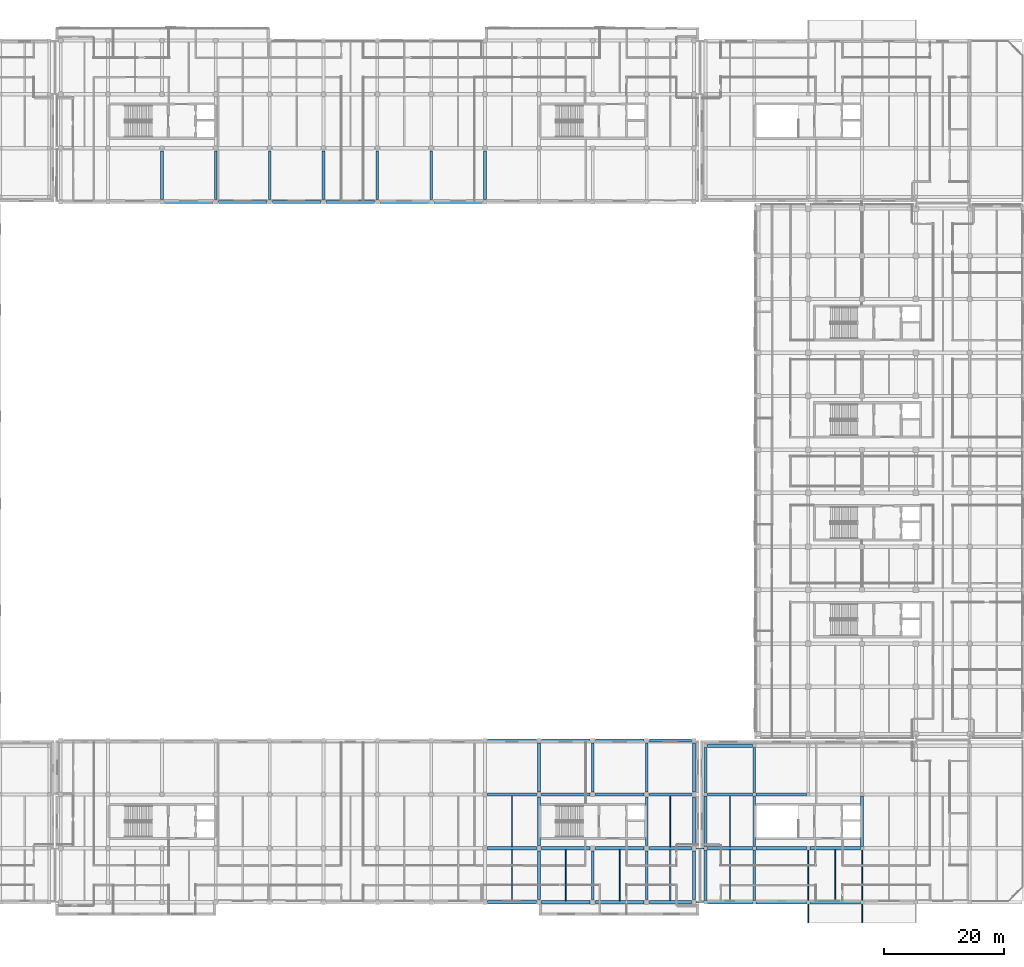
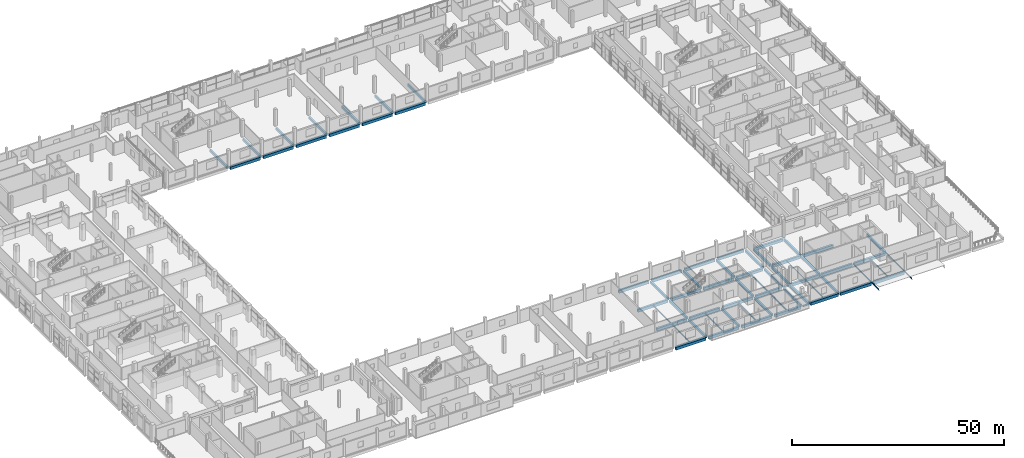
# One storey, part 26 of 111: 69 beams.
"""IFC4 building model written with IfcOpenShell, lengths in metres."""

from ifc_helpers import new_model, si_unit, direction, frame, origin, origin_2d, place, context, subcontext, project, spatial, rectangle, hollow_rectangle, i_section, extrude, material, material_profile, profile_set, type_object, element, save


model = new_model("IFC4")

# Units and contexts
model_context = context("Model", 3, precision=1e-05, world=origin(), true_north=direction((0.0, 1.0)))
body_context = subcontext(model_context, "Body", "Model", "MODEL_VIEW")
ifc_project = project(units=[si_unit("LENGTHUNIT", "METRE"), si_unit("AREAUNIT", "SQUARE_METRE"), si_unit("VOLUMEUNIT", "CUBIC_METRE"), si_unit("PLANEANGLEUNIT", "RADIAN"), si_unit("MASSUNIT", "GRAM", prefix="KILO"), si_unit("THERMODYNAMICTEMPERATUREUNIT", "KELVIN"), si_unit("POWERUNIT", "WATT")], contexts=[model_context])

# Site, building, storey
site_placement = place(None, origin())
site = spatial("IfcSite", under=ifc_project, at=site_placement, CompositionType="ELEMENT")
building_placement = place(site_placement, origin())
building = spatial("IfcBuilding", under=site, at=building_placement, Name="Sindhuravela Promenade Stadium", CompositionType="ELEMENT")
storey_placement = place(building_placement, frame((0.0, 0.0, 9.60009765625)))
storey = spatial("IfcBuildingStorey", under=building, at=storey_placement, Name="L02", CompositionType="ELEMENT", Elevation=9.60009765625)

# Beams
ifc_material_1 = material(Name="Concrete M40", Category="concrete")
ifc_material_profile_1 = material_profile(ifc_material_1, rectangle(XDim=0.449951171875, YDim=0.699951171875, at=origin_2d()), Name="RC 450x700")
ifc_profile_set_1 = profile_set([ifc_material_profile_1], Name="Concrete M40")
beam_type_1 = type_object("IfcBeamType", Name="RC-BM-450x700", PredefinedType="BEAM", material=ifc_profile_set_1)
for number, where, z_axis, x_axis, name in (
    (1, (72.0, 126.43994140625, -0.630126953125), (0.0, 1.0, 0.0), (-1.0, 0.0, 0.0), "Primary beam GB07 NORTH L02"),
    (2, (81.0, 126.43994140625, -0.630126953125), (0.0, 1.0, 0.0), (-1.0, 0.0, 0.0), "Primary beam GB07 NORTH L02"),
    (3, (90.0, 126.43994140625, -0.630126953125), (0.0, 1.0, 0.0), (-1.0, 0.0, 0.0), "Primary beam GB07 NORTH L02"),
    (4, (99.0, 126.43994140625, -0.630126953125), (0.0, 1.0, 0.0), (-1.0, 0.0, 0.0), "Primary beam GB07 NORTH L02"),
    (5, (108.0, 126.43994140625, -0.630126953125), (0.0, 1.0, 0.0), (-1.0, 0.0, 0.0), "Primary beam GB07 NORTH L02"),
    (6, (117.0, 126.43994140625, -0.630126953125), (0.0, 1.0, 0.0), (-1.0, 0.0, 0.0), "Primary beam GB07 NORTH L02"),
    (7, (126.0, 126.43994140625, -0.630126953125), (0.0, 1.0, 0.0), (-1.0, 0.0, 0.0), "Primary beam GB07 NORTH L02"),
    (8, (135.0, 9.43994140625, -0.630126953125), (0.0, 1.0, 0.0), (-1.0, 0.0, 0.0), "Primary beam GB07 SOUTH L02"),
    (9, (135.0, 18.43994140625, -0.630126953125), (0.0, 1.0, 0.0), (-1.0, 0.0, 0.0), "Primary beam GB07 SOUTH L02"),
    (10, (135.0, 27.43994140625, -0.630126953125), (0.0, 1.0, 0.0), (-1.0, 0.0, 0.0), "Primary beam GB07 SOUTH L02"),
    (11, (144.0, 9.43994140625, -0.630126953125), (0.0, 1.0, 0.0), (-1.0, 0.0, 0.0), "Primary beam GB07 SOUTH L02"),
    (12, (144.0, 27.43994140625, -0.630126953125), (0.0, 1.0, 0.0), (-1.0, 0.0, 0.0), "Primary beam GB07 SOUTH L02"),
    (13, (153.0, 9.43994140625, -0.630126953125), (0.0, 1.0, 0.0), (-1.0, 0.0, 0.0), "Primary beam GB07 SOUTH L02"),
    (14, (153.0, 18.43994140625, -0.630126953125), (0.0, 1.0, 0.0), (-1.0, 0.0, 0.0), "Primary beam GB07 SOUTH L02"),
    (15, (153.0, 27.43994140625, -0.630126953125), (0.0, 1.0, 0.0), (-1.0, 0.0, 0.0), "Primary beam GB07 SOUTH L02"),
    (16, (160.89990234375, 9.43994140625, -0.630126953125), (0.0, 1.0, 0.0), (-1.0, 0.0, 0.0), "Primary beam GB07 SOUTH L02"),
    (17, (160.89990234375, 18.43994140625, -0.630126953125), (0.0, 1.0, 0.0), (-1.0, 0.0, 0.0), "Primary beam GB07 SOUTH L02"),
    (18, (160.89990234375, 27.43994140625, -0.630126953125), (0.0, 1.0, 0.0), (-1.0, 0.0, 0.0), "Primary beam GB07 SOUTH L02"),
):
    element("IfcBeam", number, at=place(storey_placement, frame(where, z_axis=z_axis, x_axis=x_axis)), inside=storey, type_object=beam_type_1, Name=name, PredefinedType="BEAM", context=body_context, shape_type="SweptSolid", body=[
        extrude(rectangle(XDim=0.449951171875, YDim=0.699951171875, at=origin_2d()), origin(), (0.0, 0.0, 1.0), 8.1201171875),
    ])
for number, where, z_axis, x_axis, name in (
    (19, (162.85009765625, 9.2900390625, -0.585205078125), (0.0, 1.0, 0.0), (-1.0, 0.0, 0.0), "Primary beam GB07 Pavilion SE L02"),
    (20, (162.85009765625, 18.2900390625, -0.585205078125), (0.0, 1.0, 0.0), (-1.0, 0.0, 0.0), "Primary beam GB07 Pavilion SE L02"),
):
    element("IfcBeam", number, at=place(storey_placement, frame(where, z_axis=z_axis, x_axis=x_axis)), inside=storey, type_object=beam_type_1, Name=name, PredefinedType="BEAM", context=body_context, shape_type="SweptSolid", body=[
        extrude(rectangle(XDim=0.449951171875, YDim=0.699951171875, at=origin_2d()), origin(), (0.0, 0.0, 1.0), 8.419921875),
    ])
beam_1_placement = place(storey_placement, frame((162.85009765625, 27.2900390625, -0.585205078125), z_axis=(0.0, 1.0, 0.0), x_axis=(-1.0, 0.0, 0.0)))
element("IfcBeam", 21, at=beam_1_placement, inside=storey, type_object=beam_type_1, Name="Primary beam GB07 Pavilion SE L02", PredefinedType="BEAM", context=body_context, shape_type="SweptSolid", body=[
    extrude(rectangle(XDim=0.449951171875, YDim=0.699951171875, at=origin_2d()), origin(), (0.0, 0.0, 1.0), 7.570068359375),
])
for number, where, z_axis, x_axis, name in (
    (22, (171.0, 9.2900390625, -0.585205078125), (0.0, 1.0, 0.0), (-1.0, 0.0, 0.0), "Primary beam GB07 Pavilion SE L02"),
    (23, (171.0, 18.2900390625, -0.585205078125), (0.0, 1.0, 0.0), (-1.0, 0.0, 0.0), "Primary beam GB07 Pavilion SE L02"),
):
    element("IfcBeam", number, at=place(storey_placement, frame(where, z_axis=z_axis, x_axis=x_axis)), inside=storey, type_object=beam_type_1, Name=name, PredefinedType="BEAM", context=body_context, shape_type="SweptSolid", body=[
        extrude(rectangle(XDim=0.449951171875, YDim=0.699951171875, at=origin_2d()), origin(), (0.0, 0.0, 1.0), 8.419921875),
    ])
beam_2_placement = place(storey_placement, frame((171.0, 27.2900390625, -0.585205078125), z_axis=(0.0, 1.0, 0.0), x_axis=(-1.0, 0.0, 0.0)))
element("IfcBeam", 24, at=beam_2_placement, inside=storey, type_object=beam_type_1, Name="Primary beam GB07 Pavilion SE L02", PredefinedType="BEAM", context=body_context, shape_type="SweptSolid", body=[
    extrude(rectangle(XDim=0.449951171875, YDim=0.699951171875, at=origin_2d()), origin(), (0.0, 0.0, 1.0), 7.570068359375),
])
beam_3_placement = place(storey_placement, frame((189.0, 18.2900390625, -0.585205078125), z_axis=(0.0, 1.0, 0.0), x_axis=(-1.0, 0.0, 0.0)))
element("IfcBeam", 25, at=beam_3_placement, inside=storey, type_object=beam_type_1, Name="Primary beam GB07 Pavilion SE L02", PredefinedType="BEAM", context=body_context, shape_type="SweptSolid", body=[
    extrude(rectangle(XDim=0.449951171875, YDim=0.699951171875, at=origin_2d()), origin(), (0.0, 0.0, 1.0), 8.419921875),
])
ifc_material_profile_2 = material_profile(ifc_material_1, rectangle(XDim=0.550048828125, YDim=0.800048828125, at=origin_2d()), Name="RC 550x800")
ifc_profile_set_2 = profile_set([ifc_material_profile_2], Name="Concrete M40")
beam_type_2 = type_object("IfcBeamType", Name="RC-BM-550x800", PredefinedType="BEAM", material=ifc_profile_set_2)
for number, where, z_axis, x_axis, name in (
    (26, (72.43994140625, 126.0, -0.68017578125), (1.0, 0.0, 0.0), (0.0, 1.0, 0.0), "Primary girder GB05 NORTH L02"),
    (27, (81.43994140625, 126.0, -0.68017578125), (1.0, 0.0, 0.0), (0.0, 1.0, 0.0), "Primary girder GB05 NORTH L02"),
    (28, (90.43994140625, 126.0, -0.68017578125), (1.0, 0.0, 0.0), (0.0, 1.0, 0.0), "Primary girder GB05 NORTH L02"),
    (29, (99.43994140625, 126.0, -0.68017578125), (1.0, 0.0, 0.0), (0.0, 1.0, 0.0), "Primary girder GB05 NORTH L02"),
    (30, (108.43994140625, 126.0, -0.68017578125), (1.0, 0.0, 0.0), (0.0, 1.0, 0.0), "Primary girder GB05 NORTH L02"),
    (31, (117.43994140625, 126.0, -0.68017578125), (1.0, 0.0, 0.0), (0.0, 1.0, 0.0), "Primary girder GB05 NORTH L02"),
    (32, (126.43994140625, 9.0, -0.68017578125), (1.0, 0.0, 0.0), (0.0, 1.0, 0.0), "Primary girder GB05 SOUTH L02"),
    (33, (135.43994140625, 9.0, -0.68017578125), (1.0, 0.0, 0.0), (0.0, 1.0, 0.0), "Primary girder GB05 SOUTH L02"),
    (34, (144.43994140625, 9.0, -0.68017578125), (1.0, 0.0, 0.0), (0.0, 1.0, 0.0), "Primary girder GB05 SOUTH L02"),
):
    element("IfcBeam", number, at=place(storey_placement, frame(where, z_axis=z_axis, x_axis=x_axis)), inside=storey, type_object=beam_type_2, Name=name, PredefinedType="BEAM", context=body_context, shape_type="SweptSolid", body=[
        extrude(rectangle(XDim=0.550048828125, YDim=0.800048828125, at=origin_2d()), origin(), (0.0, 0.0, 1.0), 8.1201171875),
    ])
beam_4_placement = place(storey_placement, frame((153.43994140625, 9.0, -0.68017578125), z_axis=(1.0, 0.0, 0.0), x_axis=(0.0, 1.0, 0.0)))
element("IfcBeam", 35, at=beam_4_placement, inside=storey, type_object=beam_type_2, Name="Primary girder GB05 SOUTH L02", PredefinedType="BEAM", context=body_context, shape_type="SweptSolid", body=[
    extrude(rectangle(XDim=0.550048828125, YDim=0.800048828125, at=origin_2d()), origin(), (0.0, 0.0, 1.0), 7.02001953125),
])
for number, where, z_axis, x_axis, name in (
    (36, (126.43994140625, 18.0, -0.68017578125), (1.0, 0.0, 0.0), (0.0, 1.0, 0.0), "Primary girder GB05 SOUTH L02"),
    (37, (135.43994140625, 18.0, -0.68017578125), (1.0, 0.0, 0.0), (0.0, 1.0, 0.0), "Primary girder GB05 SOUTH L02"),
    (38, (144.43994140625, 18.0, -0.68017578125), (1.0, 0.0, 0.0), (0.0, 1.0, 0.0), "Primary girder GB05 SOUTH L02"),
):
    element("IfcBeam", number, at=place(storey_placement, frame(where, z_axis=z_axis, x_axis=x_axis)), inside=storey, type_object=beam_type_2, Name=name, PredefinedType="BEAM", context=body_context, shape_type="SweptSolid", body=[
        extrude(rectangle(XDim=0.550048828125, YDim=0.800048828125, at=origin_2d()), origin(), (0.0, 0.0, 1.0), 8.1201171875),
    ])
beam_5_placement = place(storey_placement, frame((153.43994140625, 18.0, -0.68017578125), z_axis=(1.0, 0.0, 0.0), x_axis=(0.0, 1.0, 0.0)))
element("IfcBeam", 39, at=beam_5_placement, inside=storey, type_object=beam_type_2, Name="Primary girder GB05 SOUTH L02", PredefinedType="BEAM", context=body_context, shape_type="SweptSolid", body=[
    extrude(rectangle(XDim=0.550048828125, YDim=0.800048828125, at=origin_2d()), origin(), (0.0, 0.0, 1.0), 7.02001953125),
])
for number, where, z_axis, x_axis, name in (
    (40, (126.43994140625, 27.0, -0.68017578125), (1.0, 0.0, 0.0), (0.0, 1.0, 0.0), "Primary girder GB05 SOUTH L02"),
    (41, (135.43994140625, 27.0, -0.68017578125), (1.0, 0.0, 0.0), (0.0, 1.0, 0.0), "Primary girder GB05 SOUTH L02"),
    (42, (144.43994140625, 27.0, -0.68017578125), (1.0, 0.0, 0.0), (0.0, 1.0, 0.0), "Primary girder GB05 SOUTH L02"),
):
    element("IfcBeam", number, at=place(storey_placement, frame(where, z_axis=z_axis, x_axis=x_axis)), inside=storey, type_object=beam_type_2, Name=name, PredefinedType="BEAM", context=body_context, shape_type="SweptSolid", body=[
        extrude(rectangle(XDim=0.550048828125, YDim=0.800048828125, at=origin_2d()), origin(), (0.0, 0.0, 1.0), 8.1201171875),
    ])
beam_6_placement = place(storey_placement, frame((153.43994140625, 27.0, -0.68017578125), z_axis=(1.0, 0.0, 0.0), x_axis=(0.0, 1.0, 0.0)))
element("IfcBeam", 43, at=beam_6_placement, inside=storey, type_object=beam_type_2, Name="Primary girder GB05 SOUTH L02", PredefinedType="BEAM", context=body_context, shape_type="SweptSolid", body=[
    extrude(rectangle(XDim=0.550048828125, YDim=0.800048828125, at=origin_2d()), origin(), (0.0, 0.0, 1.0), 7.02001953125),
])
for number, where, z_axis, x_axis, name in (
    (44, (126.43994140625, 36.0, -0.68017578125), (1.0, 0.0, 0.0), (0.0, 1.0, 0.0), "Primary girder GB05 SOUTH L02"),
    (45, (135.43994140625, 36.0, -0.68017578125), (1.0, 0.0, 0.0), (0.0, 1.0, 0.0), "Primary girder GB05 SOUTH L02"),
    (46, (144.43994140625, 36.0, -0.68017578125), (1.0, 0.0, 0.0), (0.0, 1.0, 0.0), "Primary girder GB05 SOUTH L02"),
):
    element("IfcBeam", number, at=place(storey_placement, frame(where, z_axis=z_axis, x_axis=x_axis)), inside=storey, type_object=beam_type_2, Name=name, PredefinedType="BEAM", context=body_context, shape_type="SweptSolid", body=[
        extrude(rectangle(XDim=0.550048828125, YDim=0.800048828125, at=origin_2d()), origin(), (0.0, 0.0, 1.0), 8.1201171875),
    ])
beam_7_placement = place(storey_placement, frame((153.43994140625, 36.0, -0.68017578125), z_axis=(1.0, 0.0, 0.0), x_axis=(0.0, 1.0, 0.0)))
element("IfcBeam", 47, at=beam_7_placement, inside=storey, type_object=beam_type_2, Name="Primary girder GB05 SOUTH L02", PredefinedType="BEAM", context=body_context, shape_type="SweptSolid", body=[
    extrude(rectangle(XDim=0.550048828125, YDim=0.800048828125, at=origin_2d()), origin(), (0.0, 0.0, 1.0), 7.02001953125),
])
beam_8_placement = place(storey_placement, frame((163.139892578125, 9.0, -0.635009765625), z_axis=(1.0, 0.0, 0.0), x_axis=(0.0, 1.0, 0.0)))
element("IfcBeam", 48, at=beam_8_placement, inside=storey, type_object=beam_type_2, Name="Primary girder GB05 Pavilion SE L02", PredefinedType="BEAM", context=body_context, shape_type="SweptSolid", body=[
    extrude(rectangle(XDim=0.550048828125, YDim=0.800048828125, at=origin_2d()), origin(), (0.0, 0.0, 1.0), 7.570068359375),
])
for number, where, z_axis, x_axis, name in (
    (49, (171.2900390625, 9.0, -0.635009765625), (1.0, 0.0, 0.0), (0.0, 1.0, 0.0), "Primary girder GB05 Pavilion SE L02"),
    (50, (180.2900390625, 9.0, -0.635009765625), (1.0, 0.0, 0.0), (0.0, 1.0, 0.0), "Primary girder GB05 Pavilion SE L02"),
):
    element("IfcBeam", number, at=place(storey_placement, frame(where, z_axis=z_axis, x_axis=x_axis)), inside=storey, type_object=beam_type_2, Name=name, PredefinedType="BEAM", context=body_context, shape_type="SweptSolid", body=[
        extrude(rectangle(XDim=0.550048828125, YDim=0.800048828125, at=origin_2d()), origin(), (0.0, 0.0, 1.0), 8.419921875),
    ])
beam_9_placement = place(storey_placement, frame((163.139892578125, 18.0, -0.635009765625), z_axis=(1.0, 0.0, 0.0), x_axis=(0.0, 1.0, 0.0)))
element("IfcBeam", 51, at=beam_9_placement, inside=storey, type_object=beam_type_2, Name="Primary girder GB05 Pavilion SE L02", PredefinedType="BEAM", context=body_context, shape_type="SweptSolid", body=[
    extrude(rectangle(XDim=0.550048828125, YDim=0.800048828125, at=origin_2d()), origin(), (0.0, 0.0, 1.0), 7.570068359375),
])
for number, where, z_axis, x_axis, name in (
    (52, (171.2900390625, 18.0, -0.635009765625), (1.0, 0.0, 0.0), (0.0, 1.0, 0.0), "Primary girder GB05 Pavilion SE L02"),
    (53, (180.2900390625, 18.0, -0.635009765625), (1.0, 0.0, 0.0), (0.0, 1.0, 0.0), "Primary girder GB05 Pavilion SE L02"),
):
    element("IfcBeam", number, at=place(storey_placement, frame(where, z_axis=z_axis, x_axis=x_axis)), inside=storey, type_object=beam_type_2, Name=name, PredefinedType="BEAM", context=body_context, shape_type="SweptSolid", body=[
        extrude(rectangle(XDim=0.550048828125, YDim=0.800048828125, at=origin_2d()), origin(), (0.0, 0.0, 1.0), 8.419921875),
    ])
beam_10_placement = place(storey_placement, frame((163.139892578125, 27.0, -0.635009765625), z_axis=(1.0, 0.0, 0.0), x_axis=(0.0, 1.0, 0.0)))
element("IfcBeam", 54, at=beam_10_placement, inside=storey, type_object=beam_type_2, Name="Primary girder GB05 Pavilion SE L02", PredefinedType="BEAM", context=body_context, shape_type="SweptSolid", body=[
    extrude(rectangle(XDim=0.550048828125, YDim=0.800048828125, at=origin_2d()), origin(), (0.0, 0.0, 1.0), 7.570068359375),
])
beam_11_placement = place(storey_placement, frame((171.2900390625, 27.0, -0.635009765625), z_axis=(1.0, 0.0, 0.0), x_axis=(0.0, 1.0, 0.0)))
element("IfcBeam", 55, at=beam_11_placement, inside=storey, type_object=beam_type_2, Name="Primary girder GB05 Pavilion SE L02", PredefinedType="BEAM", context=body_context, shape_type="SweptSolid", body=[
    extrude(rectangle(XDim=0.550048828125, YDim=0.800048828125, at=origin_2d()), origin(), (0.0, 0.0, 1.0), 8.419921875),
])
beam_12_placement = place(storey_placement, frame((163.139892578125, 35.14990234375, -0.635009765625), z_axis=(1.0, 0.0, 0.0), x_axis=(0.0, 1.0, 0.0)))
element("IfcBeam", 56, at=beam_12_placement, inside=storey, type_object=beam_type_2, Name="Primary girder GB05 Pavilion SE L02", PredefinedType="BEAM", context=body_context, shape_type="SweptSolid", body=[
    extrude(rectangle(XDim=0.550048828125, YDim=0.800048828125, at=origin_2d()), origin(), (0.0, 0.0, 1.0), 7.570068359375),
])
ifc_material_2 = material(Name="Steel E350 (IS 2062 E350BR)", Category="steel")
ifc_material_profile_3 = material_profile(ifc_material_2, hollow_rectangle(XDim=0.10009765625, YDim=0.199951171875, WallThickness=0.008056640625, at=origin_2d()), Name="RHS 200x100x8")
ifc_profile_set_3 = profile_set([ifc_material_profile_3], Name="Steel E350 (IS 2062 E350BR)")
beam_type_3 = type_object("IfcBeamType", Name="ST-BM-LNT200", PredefinedType="LINTEL", material=ifc_profile_set_3)
beam_13_placement = place(storey_placement, frame((166.925048828125, 18.264892578125, -0.335205078125), z_axis=(0.0, 1.0, 0.0), x_axis=(-1.0, 0.0, 0.0)))
element("IfcBeam", 57, at=beam_13_placement, inside=storey, type_object=beam_type_3, Name="Secondary floor joist LN01 Pavilion SE L02", PredefinedType="LINTEL", context=body_context, shape_type="SweptSolid", body=[
    extrude(hollow_rectangle(XDim=0.10009765625, YDim=0.199951171875, WallThickness=0.008056640625, at=origin_2d()), origin(), (0.0, 0.0, 1.0), 8.47021484375),
])
ifc_material_profile_4 = material_profile(ifc_material_2, i_section(OverallWidth=0.139892578125, OverallDepth=0.35009765625, WebThickness=0.008056640625, FlangeThickness=0.01416015625, FilletRadius=0.013916015625, at=origin_2d()), Name="ISMB 350")
ifc_profile_set_4 = profile_set([ifc_material_profile_4], Name="Steel E350 (IS 2062 E350BR)")
beam_type_4 = type_object("IfcBeamType", Name="ST-BM-MB350", PredefinedType="JOIST", material=ifc_profile_set_4)
for number, where, z_axis, x_axis, name in (
    (58, (130.5, 9.264892578125, -0.455078125), (0.0, 1.0, 0.0), (-1.0, 0.0, 0.0), "Secondary floor joist SB04 SOUTH L02"),
    (59, (166.925048828125, 9.264892578125, -0.41015625), (0.0, 1.0, 0.0), (-1.0, 0.0, 0.0), "Secondary floor joist SB04 Pavilion SE L02"),
):
    element("IfcBeam", number, at=place(storey_placement, frame(where, z_axis=z_axis, x_axis=x_axis)), inside=storey, type_object=beam_type_4, Name=name, PredefinedType="JOIST", context=body_context, shape_type="SweptSolid", body=[
        extrude(i_section(OverallWidth=0.139892578125, OverallDepth=0.35009765625, WebThickness=0.008056640625, FlangeThickness=0.01416015625, FilletRadius=0.013916015625, at=origin_2d()), origin(), (0.0, 0.0, 1.0), 8.47021484375),
    ])
ifc_material_profile_5 = material_profile(ifc_material_2, i_section(OverallWidth=0.139892578125, OverallDepth=0.39990234375, WebThickness=0.0087890625, FlangeThickness=0.01611328125, FilletRadius=0.013916015625, at=origin_2d()), Name="ISMB 400")
ifc_profile_set_5 = profile_set([ifc_material_profile_5], Name="Steel E350 (IS 2062 E350BR)")
beam_type_5 = type_object("IfcBeamType", Name="ST-BM-MB400", PredefinedType="BEAM", material=ifc_profile_set_5)
for number, where, z_axis, x_axis, name in (
    (60, (139.5, 9.264892578125, -0.47998046875), (0.0, 1.0, 0.0), (-1.0, 0.0, 0.0), "Secondary floor joist SB05 SOUTH L02"),
    (61, (130.5, 18.264892578125, -0.47998046875), (0.0, 1.0, 0.0), (-1.0, 0.0, 0.0), "Secondary floor joist SB05 SOUTH L02"),
    (62, (184.5, 9.264892578125, -0.43505859375), (0.0, 1.0, 0.0), (-1.0, 0.0, 0.0), "Secondary floor joist SB05 Pavilion SE L02"),
):
    element("IfcBeam", number, at=place(storey_placement, frame(where, z_axis=z_axis, x_axis=x_axis)), inside=storey, type_object=beam_type_5, Name=name, PredefinedType="BEAM", context=body_context, shape_type="SweptSolid", body=[
        extrude(i_section(OverallWidth=0.139892578125, OverallDepth=0.39990234375, WebThickness=0.0087890625, FlangeThickness=0.01611328125, FilletRadius=0.013916015625, at=origin_2d()), origin(), (0.0, 0.0, 1.0), 8.47021484375),
    ])
for number, where, z_axis, x_axis, name in (
    (63, (180.0, 18.0, -0.4501953125), (0.0, -1.0, 0.0), (1.0, 0.0, 0.0), "Main entrance canopy cantilever beam SE-1"),
    (64, (189.0, 18.0, -0.4501953125), (0.0, -1.0, 0.0), (1.0, 0.0, 0.0), "Main entrance canopy cantilever beam SE-2"),
):
    element("IfcBeam", number, at=place(storey_placement, frame(where, z_axis=z_axis, x_axis=x_axis)), inside=storey, type_object=beam_type_5, Name=name, PredefinedType="BEAM", context=body_context, shape_type="SweptSolid", body=[
        extrude(i_section(OverallWidth=0.139892578125, OverallDepth=0.39990234375, WebThickness=0.0087890625, FlangeThickness=0.01611328125, FilletRadius=0.013916015625, at=origin_2d()), origin(), (0.0, 0.0, 1.0), 12.39990234375),
    ])
ifc_material_profile_6 = material_profile(ifc_material_2, i_section(OverallWidth=0.14990234375, OverallDepth=0.449951171875, WebThickness=0.009521484375, FlangeThickness=0.017333984375, FilletRadius=0.014892578125, at=origin_2d()), Name="ISMB 450")
ifc_profile_set_6 = profile_set([ifc_material_profile_6], Name="Steel E350 (IS 2062 E350BR)")
beam_type_6 = type_object("IfcBeamType", Name="ST-BM-MB450", PredefinedType="BEAM", material=ifc_profile_set_6)
for number, where, z_axis, x_axis, name in (
    (65, (148.5, 9.264892578125, -0.505126953125), (0.0, 1.0, 0.0), (-1.0, 0.0, 0.0), "Secondary floor joist SB06 SOUTH L02"),
    (66, (156.949951171875, 18.264892578125, -0.505126953125), (0.0, 1.0, 0.0), (-1.0, 0.0, 0.0), "Secondary floor joist SB06 SOUTH L02"),
):
    element("IfcBeam", number, at=place(storey_placement, frame(where, z_axis=z_axis, x_axis=x_axis)), inside=storey, type_object=beam_type_6, Name=name, PredefinedType="BEAM", context=body_context, shape_type="SweptSolid", body=[
        extrude(i_section(OverallWidth=0.14990234375, OverallDepth=0.449951171875, WebThickness=0.009521484375, FlangeThickness=0.017333984375, FilletRadius=0.014892578125, at=origin_2d()), origin(), (0.0, 0.0, 1.0), 8.47021484375),
    ])
ifc_material_profile_7 = material_profile(ifc_material_2, i_section(OverallWidth=0.179931640625, OverallDepth=0.5, WebThickness=0.01025390625, FlangeThickness=0.01708984375, FilletRadius=0.01708984375, at=origin_2d()), Name="ISMB 500")
ifc_profile_set_7 = profile_set([ifc_material_profile_7], Name="Steel E350 (IS 2062 E350BR)")
beam_type_7 = type_object("IfcBeamType", Name="ST-BM-MB500", PredefinedType="BEAM", material=ifc_profile_set_7)
for number, where, z_axis, x_axis, name in (
    (67, (161.0, 9.0, -0.610107421875), (1.0, 0.0, 0.0), (0.0, 1.0, 0.0), "Concourse link bridge L02 South-SE PTFE sliding girder B"),
    (68, (161.0, 18.0, -0.610107421875), (1.0, 0.0, 0.0), (0.0, 1.0, 0.0), "Concourse link bridge L02 South-SE PTFE sliding girder T"),
):
    element("IfcBeam", number, at=place(storey_placement, frame(where, z_axis=z_axis, x_axis=x_axis)), inside=storey, type_object=beam_type_7, Name=name, PredefinedType="BEAM", context=body_context, shape_type="SweptSolid", body=[
        extrude(i_section(OverallWidth=0.179931640625, OverallDepth=0.5, WebThickness=0.01025390625, FlangeThickness=0.01708984375, FilletRadius=0.01708984375, at=origin_2d()), origin(), (0.0, 0.0, 1.0), 1.75),
    ])
ifc_material_profile_8 = material_profile(ifc_material_2, i_section(OverallWidth=0.18994140625, OverallDepth=0.550048828125, WebThickness=0.01123046875, FlangeThickness=0.019287109375, FilletRadius=0.01806640625, at=origin_2d()), Name="ISMB 550")
ifc_profile_set_8 = profile_set([ifc_material_profile_8], Name="Steel E350 (IS 2062 E350BR)")
beam_type_8 = type_object("IfcBeamType", Name="ST-BM-MB550", PredefinedType="SPANDREL", material=ifc_profile_set_8)
beam_14_placement = place(storey_placement, frame((156.949951171875, 9.264892578125, -0.55517578125), z_axis=(0.0, 1.0, 0.0), x_axis=(-1.0, 0.0, 0.0)))
element("IfcBeam", 69, at=beam_14_placement, inside=storey, type_object=beam_type_8, Name="Secondary floor joist SB08 SOUTH L02", PredefinedType="SPANDREL", context=body_context, shape_type="SweptSolid", body=[
    extrude(i_section(OverallWidth=0.18994140625, OverallDepth=0.550048828125, WebThickness=0.01123046875, FlangeThickness=0.019287109375, FilletRadius=0.01806640625, at=origin_2d()), origin(), (0.0, 0.0, 1.0), 8.47021484375),
])

save(model, "model.ifc")
